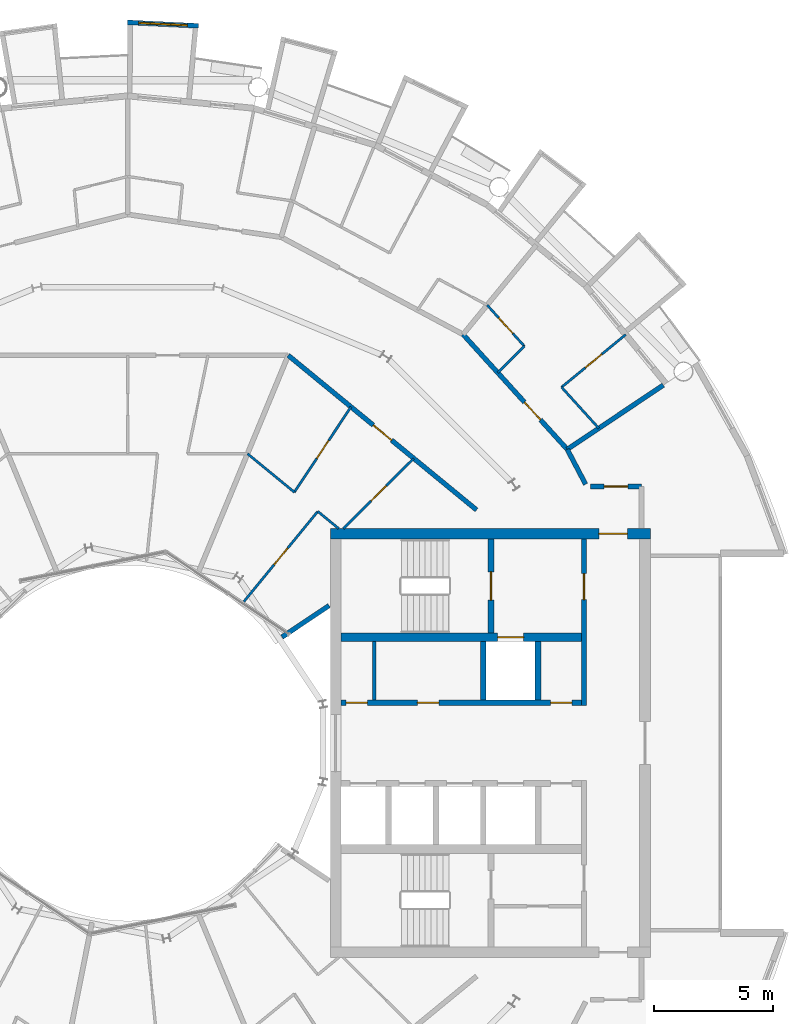
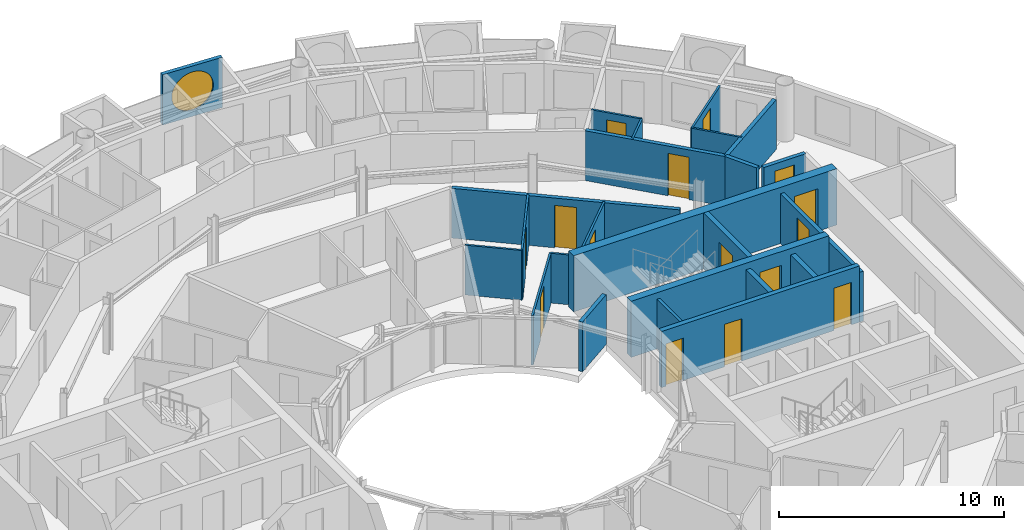
# One storey, part 23 of 29: 24 walls, 15 doors, 1 window, 16 openings.
"""IFC4 building model written with IfcOpenShell, lengths in metres."""

from ifc_helpers import new_model, si_unit, direction, frame, frame_2d, origin, place, context, subcontext, project, spatial, rectangle, circle, extrude, material, layer, layer_set, type_object, element, fill, save


model = new_model("IFC4")

# Units and contexts
model_context = context("Model", 3, precision=1e-05, world=origin(), true_north=direction((0.0, 1.0)))
body_context = subcontext(model_context, "Body", "Model", "MODEL_VIEW")
ifc_project = project(units=[si_unit("LENGTHUNIT", "METRE"), si_unit("AREAUNIT", "SQUARE_METRE"), si_unit("VOLUMEUNIT", "CUBIC_METRE"), si_unit("PLANEANGLEUNIT", "RADIAN"), si_unit("MASSUNIT", "GRAM", prefix="KILO")], contexts=[model_context])

# Site, building, storey
site_placement = place(None, origin())
site = spatial("IfcSite", under=ifc_project, at=site_placement, CompositionType="ELEMENT")
building_placement = place(site_placement, origin())
building = spatial("IfcBuilding", under=site, at=building_placement, Name="Maasbend Ring Residences", CompositionType="ELEMENT")
storey_placement = place(building_placement, frame((0.0, 0.0, 215.75)))
storey = spatial("IfcBuildingStorey", under=building, at=storey_placement, Name="L62", CompositionType="ELEMENT", Elevation=215.75)

# Wall, openings, doors
ifc_material_1 = material(Name="Concrete C50/60", Category="concrete")
ifc_layer_1 = layer(ifc_material_1, 0.25)
ifc_layer_set_1 = layer_set([ifc_layer_1], Name="Concrete C50/60")
wall_type_1 = type_object("IfcWallType", Name="CORE WALL 250 C50/60", PredefinedType="SHEAR", material=ifc_layer_set_1)
wall_1_placement = place(storey_placement, frame((9.0, 1.699951171875, 0.0), z_axis=(0.0, 0.0, 1.0), x_axis=(1.0, 0.0, 0.0)))
wall_1 = element("IfcWall", 1, at=wall_1_placement, inside=storey, type_object=wall_type_1, Name="L62 core E wall SPN", PredefinedType="SHEAR", context=body_context, shape_type="SweptSolid", body=[
    extrude(rectangle(XDim=10.14990234375, YDim=0.25, at=frame_2d((5.074951171875, 0.0))), origin(), (0.0, 0.0, 1.0), 3.050048828125),
])
opening_1_placement = place(wall_1_placement, frame((0.21240234375, 0.0, 0.0)))
opening_1 = element("IfcOpeningElement", 2, at=opening_1_placement, cuts=wall_1, Name="Opening D-E6206", PredefinedType="OPENING", context=body_context, shape_type="SweptSolid", body=[
    extrude(rectangle(XDim=0.89990234375, YDim=2.300048828125, at=frame_2d((0.449951171875, 1.14990234375))), frame((0.0, 0.135009765625, 0.0), z_axis=(0.0, -1.0, 0.0), x_axis=(1.0, 0.0, 0.0)), (0.0, 0.0, 1.0), 0.27001953125),
])
opening_2_placement = place(wall_1_placement, frame((3.22509765625, 0.0, 0.0)))
opening_2 = element("IfcOpeningElement", 3, at=opening_2_placement, cuts=wall_1, Name="Opening D-E6207", PredefinedType="OPENING", context=body_context, shape_type="SweptSolid", body=[
    extrude(rectangle(XDim=0.89990234375, YDim=2.300048828125, at=frame_2d((0.449951171875, 1.14990234375))), frame((0.0, 0.135009765625, 0.0), z_axis=(0.0, -1.0, 0.0), x_axis=(1.0, 0.0, 0.0)), (0.0, 0.0, 1.0), 0.27001953125),
])
opening_3_placement = place(wall_1_placement, frame((8.83740234375, 0.0, 0.0)))
opening_3 = element("IfcOpeningElement", 4, at=opening_3_placement, cuts=wall_1, Name="Opening D-E6208", PredefinedType="OPENING", context=body_context, shape_type="SweptSolid", body=[
    extrude(rectangle(XDim=0.89990234375, YDim=2.300048828125, at=frame_2d((0.449951171875, 1.14990234375))), frame((0.0, 0.135009765625, 0.0), z_axis=(0.0, -1.0, 0.0), x_axis=(1.0, 0.0, 0.0)), (0.0, 0.0, 1.0), 0.27001953125),
])
ifc_material_2 = material(Name="Steel, powder coated", Category="steel")
door_type_1 = type_object("IfcDoorType", Name="ROOM DOOR 900 X 2300 FD30S", OperationType="NOTDEFINED", PredefinedType="DOOR", material=ifc_material_2)
door_1_placement = place(opening_1_placement, origin())
door_1 = element("IfcDoor", 5, at=door_1_placement, inside=storey, type_object=door_type_1, Name="Room door L62", OperationType="SINGLE_SWING_RIGHT", OverallHeight=2.300048828125, OverallWidth=0.89990234375, PredefinedType="DOOR", context=body_context, shape_type="SweptSolid", body=[
    extrude(rectangle(XDim=0.89990234375, YDim=2.300048828125, at=frame_2d((0.449951171875, 1.14990234375))), frame((0.0, 0.02490234375, 0.0), z_axis=(0.0, -1.0, 0.0), x_axis=(1.0, 0.0, 0.0)), (0.0, 0.0, 1.0), 0.050048828125),
])
fill(opening_1, door_1)
door_2_placement = place(opening_2_placement, origin())
door_2 = element("IfcDoor", 6, at=door_2_placement, inside=storey, type_object=door_type_1, Name="Room door L62", OperationType="SINGLE_SWING_RIGHT", OverallHeight=2.300048828125, OverallWidth=0.89990234375, PredefinedType="DOOR", context=body_context, shape_type="SweptSolid", body=[
    extrude(rectangle(XDim=0.89990234375, YDim=2.300048828125, at=frame_2d((0.449951171875, 1.14990234375))), frame((0.0, 0.02490234375, 0.0), z_axis=(0.0, -1.0, 0.0), x_axis=(1.0, 0.0, 0.0)), (0.0, 0.0, 1.0), 0.050048828125),
])
fill(opening_2, door_2)
door_3_placement = place(opening_3_placement, origin())
door_3 = element("IfcDoor", 7, at=door_3_placement, inside=storey, type_object=door_type_1, Name="Room door L62", OperationType="SINGLE_SWING_LEFT", OverallHeight=2.300048828125, OverallWidth=0.89990234375, PredefinedType="DOOR", context=body_context, shape_type="SweptSolid", body=[
    extrude(rectangle(XDim=0.89990234375, YDim=2.300048828125, at=frame_2d((0.449951171875, 1.14990234375))), frame((0.0, 0.02490234375, 0.0), z_axis=(0.0, -1.0, 0.0), x_axis=(1.0, 0.0, 0.0)), (0.0, 0.0, 1.0), 0.050048828125),
])
fill(opening_3, door_3)

# Wall, opening, door
wall_2_placement = place(storey_placement, frame((15.324951171875, 4.64990234375, 0.0), z_axis=(0.0, 0.0, 1.0), x_axis=(0.0, 1.0, 0.0)))
wall_2 = element("IfcWall", 8, at=wall_2_placement, inside=storey, type_object=wall_type_1, Name="L62 core E wall STEN", PredefinedType="SHEAR", context=body_context, shape_type="SweptSolid", body=[
    extrude(rectangle(XDim=3.9501953125, YDim=0.25, at=frame_2d((1.97509765625, 0.0))), origin(), (0.0, 0.0, 1.0), 3.050048828125),
])
opening_4_placement = place(wall_2_placement, frame((1.375, 0.0, 0.0)))
opening_4 = element("IfcOpeningElement", 9, at=opening_4_placement, cuts=wall_2, Name="Opening D-E6211", PredefinedType="OPENING", context=body_context, shape_type="SweptSolid", body=[
    extrude(rectangle(XDim=1.199951171875, YDim=2.300048828125, at=frame_2d((0.60009765625, 1.14990234375))), frame((0.0, 0.135009765625, 0.0), z_axis=(0.0, -1.0, 0.0), x_axis=(1.0, 0.0, 0.0)), (0.0, 0.0, 1.0), 0.27001953125),
])
ifc_material_3 = material(Name="Steel, powder coated", Category="steel")
door_type_2 = type_object("IfcDoorType", Name="STAIR DOOR 1200 X 2300 FD60", OperationType="NOTDEFINED", PredefinedType="DOOR", material=ifc_material_3)
door_4_placement = place(opening_4_placement, origin())
door_4 = element("IfcDoor", 10, at=door_4_placement, inside=storey, type_object=door_type_2, Name="Stair door ST-E L62", OperationType="SINGLE_SWING_LEFT", OverallHeight=2.300048828125, OverallWidth=1.199951171875, PredefinedType="DOOR", context=body_context, shape_type="SweptSolid", body=[
    extrude(rectangle(XDim=1.199951171875, YDim=2.300048828125, at=frame_2d((0.60009765625, 1.14990234375))), frame((0.0, 0.02490234375, 0.0), z_axis=(0.0, -1.0, 0.0), x_axis=(1.0, 0.0, 0.0)), (0.0, 0.0, 1.0), 0.050048828125),
])
fill(opening_4, door_4)

ifc_material_4 = material(Name="Concrete C50/60", Category="concrete")
ifc_layer_2 = layer(ifc_material_4, 0.375)
ifc_layer_set_2 = layer_set([ifc_layer_2], Name="Concrete C50/60")
wall_type_2 = type_object("IfcWallType", Name="CORE WALL 375 C50/60", PredefinedType="SHEAR", material=ifc_layer_set_2)
wall_3_placement = place(storey_placement, frame((9.0, 4.46240234375, 0.0), z_axis=(0.0, 0.0, 1.0), x_axis=(1.0, 0.0, 0.0)))
wall_3 = element("IfcWall", 11, at=wall_3_placement, inside=storey, type_object=wall_type_2, Name="L62 core E wall BN", PredefinedType="SHEAR", context=body_context, shape_type="SweptSolid", body=[
    extrude(rectangle(XDim=10.14990234375, YDim=0.375, at=frame_2d((5.074951171875, 0.0))), origin(), (0.0, 0.0, 1.0), 3.050048828125),
])
opening_5_placement = place(wall_3_placement, frame((6.60009765625, 0.0, 0.0)))
opening_5 = element("IfcOpeningElement", 12, at=opening_5_placement, cuts=wall_3, Name="Opening LD-E6201", PredefinedType="OPENING", context=body_context, shape_type="SweptSolid", body=[
    extrude(rectangle(XDim=1.10009765625, YDim=2.300048828125, at=frame_2d((0.550048828125, 1.14990234375))), frame((0.0, 0.197509765625, 0.0), z_axis=(0.0, -1.0, 0.0), x_axis=(1.0, 0.0, 0.0)), (0.0, 0.0, 1.0), 0.39501953125),
])
ifc_material_5 = material(Name="Stainless steel 316", Category="steel")
door_type_3 = type_object("IfcDoorType", Name="LANDING DOOR 1100 X 2300 FD60", OperationType="DOUBLE_DOOR_SLIDING", PredefinedType="DOOR", material=ifc_material_5)
door_5_placement = place(opening_5_placement, origin())
door_5 = element("IfcDoor", 13, at=door_5_placement, inside=storey, type_object=door_type_3, Name="Landing door FF-E L62", OperationType="DOUBLE_DOOR_SLIDING", OverallHeight=2.300048828125, OverallWidth=1.10009765625, PredefinedType="DOOR", context=body_context, shape_type="SweptSolid", body=[
    extrude(rectangle(XDim=1.10009765625, YDim=2.300048828125, at=frame_2d((0.550048828125, 1.14990234375))), frame((0.0, 0.02490234375, 0.0), z_axis=(0.0, -1.0, 0.0), x_axis=(1.0, 0.0, 0.0)), (0.0, 0.0, 1.0), 0.050048828125),
])
fill(opening_5, door_5)

ifc_material_6 = material(Name="Concrete C50/60", Category="concrete")
ifc_layer_3 = layer(ifc_material_6, 0.449951171875)
ifc_layer_set_3 = layer_set([ifc_layer_3], Name="Concrete C50/60")
wall_type_3 = type_object("IfcWallType", Name="CORE WALL 450 C50/60", PredefinedType="SHEAR", material=ifc_layer_set_3)
wall_4_placement = place(storey_placement, frame((22.050048828125, 8.824951171875, 0.0), z_axis=(0.0, 0.0, 1.0), x_axis=(-1.0, 0.0, 0.0)))
wall_4 = element("IfcWall", 14, at=wall_4_placement, inside=storey, type_object=wall_type_3, Name="L62 core E wall PN", PredefinedType="SHEAR", context=body_context, shape_type="SweptSolid", body=[
    extrude(rectangle(XDim=13.5, YDim=0.449951171875, at=frame_2d((6.75, 0.0))), origin(), (0.0, 0.0, 1.0), 3.050048828125),
])
opening_6_placement = place(wall_4_placement, frame((0.97509765625, 0.0, 0.0)))
opening_6 = element("IfcOpeningElement", 15, at=opening_6_placement, cuts=wall_4, Name="Opening D-E6215", PredefinedType="OPENING", context=body_context, shape_type="SweptSolid", body=[
    extrude(rectangle(XDim=1.199951171875, YDim=2.300048828125, at=frame_2d((0.60009765625, 1.14990234375))), frame((0.0, 0.23486328125, 0.0), z_axis=(0.0, -1.0, 0.0), x_axis=(1.0, 0.0, 0.0)), (0.0, 0.0, 1.0), 0.469970703125),
])
ifc_material_7 = material(Name="Steel, powder coated", Category="steel")
door_type_4 = type_object("IfcDoorType", Name="CORRIDOR DOOR 1200 X 2300 FD30S", OperationType="NOTDEFINED", PredefinedType="DOOR", material=ifc_material_7)
door_6_placement = place(opening_6_placement, origin())
door_6 = element("IfcDoor", 16, at=door_6_placement, inside=storey, type_object=door_type_4, Name="Corridor door L62", OperationType="SINGLE_SWING_RIGHT", OverallHeight=2.300048828125, OverallWidth=1.199951171875, PredefinedType="DOOR", context=body_context, shape_type="SweptSolid", body=[
    extrude(rectangle(XDim=1.199951171875, YDim=2.300048828125, at=frame_2d((0.60009765625, 1.14990234375))), frame((0.0, 0.02490234375, 0.0), z_axis=(0.0, -1.0, 0.0), x_axis=(1.0, 0.0, 0.0)), (0.0, 0.0, 1.0), 0.050048828125),
])
fill(opening_6, door_6)

ifc_material_8 = material(Name="Concrete C30/37", Category="concrete")
ifc_layer_4 = layer(ifc_material_8, 0.199951171875)
ifc_layer_set_4 = layer_set([ifc_layer_4], Name="Concrete C30/37")
wall_type_4 = type_object("IfcWallType", Name="CORRIDOR WALL 200 CONCRETE", PredefinedType="PARTITIONING", material=ifc_layer_set_4)
wall_5_placement = place(storey_placement, frame((19.52294921875, 10.824951171875, 0.0), z_axis=(0.0, 0.0, 1.0), x_axis=(1.0, 0.0, 0.0)))
wall_5 = element("IfcWall", 17, at=wall_5_placement, inside=storey, type_object=wall_type_4, Name="U-L62-w100", PredefinedType="PARTITIONING", context=body_context, shape_type="SweptSolid", body=[
    extrude(rectangle(XDim=2.152099609375, YDim=0.199951171875, at=frame_2d((1.076171875, 0.0))), origin(), (0.0, 0.0, 1.0), 2.699951171875),
])
opening_7_placement = place(wall_5_placement, frame((0.575927734375, 0.0, 0.0)))
opening_7 = element("IfcOpeningElement", 18, at=opening_7_placement, cuts=wall_5, Name="Opening D-6271", PredefinedType="OPENING", context=body_context, shape_type="SweptSolid", body=[
    extrude(rectangle(XDim=1.0, YDim=2.300048828125, at=frame_2d((0.5, 1.14990234375))), frame((0.0, 0.10986328125, 0.0), z_axis=(0.0, -1.0, 0.0), x_axis=(1.0, 0.0, 0.0)), (0.0, 0.0, 1.0), 0.219970703125),
])
ifc_material_9 = material(Name="Timber, painted", Category="wood")
door_type_5 = type_object("IfcDoorType", Name="ROOM DOOR 1000 X 2300", OperationType="NOTDEFINED", PredefinedType="DOOR", material=ifc_material_9)
door_7_placement = place(opening_7_placement, origin())
door_7 = element("IfcDoor", 19, at=door_7_placement, inside=storey, type_object=door_type_5, Name="D-6271", OperationType="SINGLE_SWING_LEFT", OverallHeight=2.300048828125, OverallWidth=1.0, PredefinedType="DOOR", context=body_context, shape_type="SweptSolid", body=[
    extrude(rectangle(XDim=1.0, YDim=2.300048828125, at=frame_2d((0.5, 1.14990234375))), frame((0.0, 0.02490234375, 0.0), z_axis=(0.0, -1.0, 0.0), x_axis=(1.0, 0.0, 0.0)), (0.0, 0.0, 1.0), 0.050048828125),
])
fill(opening_7, door_7)

wall_6_placement = place(storey_placement, frame((6.77294921875, 16.35302734375, 0.0), z_axis=(0.0, 0.0, 1.0), x_axis=(0.773034536097, -0.634363938131, 0.0)))
wall_6 = element("IfcWall", 20, at=wall_6_placement, inside=storey, type_object=wall_type_4, Name="U-L62-w109", PredefinedType="PARTITIONING", context=body_context, shape_type="SweptSolid", body=[
    extrude(rectangle(XDim=10.276611328125, YDim=0.199951171875, at=frame_2d((5.13818359375, 0.0))), origin(), (0.0, 0.0, 1.0), 2.699951171875),
])
opening_8_placement = place(wall_6_placement, frame((4.637939453125, 0.0, 0.0)))
opening_8 = element("IfcOpeningElement", 21, at=opening_8_placement, cuts=wall_6, Name="Opening D-6223", PredefinedType="OPENING", context=body_context, shape_type="SweptSolid", body=[
    extrude(rectangle(XDim=1.0, YDim=2.300048828125, at=frame_2d((0.5, 1.14990234375))), frame((0.0, 0.10986328125, 0.0), z_axis=(0.0, -1.0, 0.0), x_axis=(1.0, 0.0, 0.0)), (0.0, 0.0, 1.0), 0.219970703125),
])
ifc_material_10 = material(Name="Timber, fire-rated, painted", Category="wood")
door_type_6 = type_object("IfcDoorType", Name="FLAT ENTRANCE DOOR 1000 X 2300 FIRE-RATED", OperationType="NOTDEFINED", PredefinedType="DOOR", material=ifc_material_10)
door_8_placement = place(opening_8_placement, origin())
door_8 = element("IfcDoor", 22, at=door_8_placement, inside=storey, type_object=door_type_6, Name="D-6223", OperationType="SINGLE_SWING_RIGHT", OverallHeight=2.300048828125, OverallWidth=1.0, PredefinedType="DOOR", context=body_context, shape_type="SweptSolid", body=[
    extrude(rectangle(XDim=1.0, YDim=2.300048828125, at=frame_2d((0.5, 1.14990234375))), frame((0.0, 0.02490234375, 0.0), z_axis=(0.0, -1.0, 0.0), x_axis=(1.0, 0.0, 0.0)), (0.0, 0.0, 1.0), 0.050048828125),
])
fill(opening_8, door_8)

wall_7_placement = place(storey_placement, frame((14.14697265625, 17.238037109375, 0.0), z_axis=(0.0, 0.0, 1.0), x_axis=(0.671561669125, -0.740948665268, 0.0)))
wall_7 = element("IfcWall", 23, at=wall_7_placement, inside=storey, type_object=wall_type_4, Name="U-L62-w116", PredefinedType="PARTITIONING", context=body_context, shape_type="SweptSolid", body=[
    extrude(rectangle(XDim=6.54443359375, YDim=0.199951171875, at=frame_2d((3.272216796875, 0.0))), origin(), (0.0, 0.0, 1.0), 2.699951171875),
])
opening_9_placement = place(wall_7_placement, frame((3.862060546875, 0.0, 0.0)))
opening_9 = element("IfcOpeningElement", 24, at=opening_9_placement, cuts=wall_7, Name="Opening D-6201", PredefinedType="OPENING", context=body_context, shape_type="SweptSolid", body=[
    extrude(rectangle(XDim=1.0, YDim=2.300048828125, at=frame_2d((0.5, 1.14990234375))), frame((0.0, 0.10986328125, 0.0), z_axis=(0.0, -1.0, 0.0), x_axis=(1.0, 0.0, 0.0)), (0.0, 0.0, 1.0), 0.219970703125),
])
door_9_placement = place(opening_9_placement, origin())
door_9 = element("IfcDoor", 25, at=door_9_placement, inside=storey, type_object=door_type_6, Name="D-6201", OperationType="SINGLE_SWING_RIGHT", OverallHeight=2.300048828125, OverallWidth=1.0, PredefinedType="DOOR", context=body_context, shape_type="SweptSolid", body=[
    extrude(rectangle(XDim=1.0, YDim=2.300048828125, at=frame_2d((0.5, 1.14990234375))), frame((0.0, 0.02490234375, 0.0), z_axis=(0.0, -1.0, 0.0), x_axis=(1.0, 0.0, 0.0)), (0.0, 0.0, 1.0), 0.050048828125),
])
fill(opening_9, door_9)

# Wall
wall_8_placement = place(storey_placement, frame((18.5419921875, 12.388916015625, 0.0), z_axis=(0.0, 0.0, 1.0), x_axis=(0.465359652486, -0.885121683068, 0.0)))
element("IfcWall", 26, at=wall_8_placement, inside=storey, type_object=wall_type_4, Name="U-L62-w118", PredefinedType="PARTITIONING", context=body_context, shape_type="SweptSolid", body=[
    extrude(rectangle(XDim=1.665283203125, YDim=0.199951171875, at=frame_2d((0.83251953125, 0.0))), origin(), (0.0, 0.0, 1.0), 2.699951171875),
])

# Wall, opening, window
ifc_material_11 = material(Name="Pale anodised aluminium panel", Category="aluminium")
ifc_layer_5 = layer(ifc_material_11, 0.199951171875)
ifc_layer_set_5 = layer_set([ifc_layer_5], Name="EW-BOX")
wall_type_5 = type_object("IfcWallType", Name="EW-BOX", PredefinedType="SOLIDWALL", material=ifc_layer_set_5)
wall_9_placement = place(storey_placement, frame((2.985107421875, 30.2529296875, -0.030029296875), z_axis=(0.0, 0.0, 1.0), x_axis=(-0.998794083011, 0.049095618353, 0.0)))
wall_9 = element("IfcWall", 27, at=wall_9_placement, inside=storey, type_object=wall_type_5, Name="Box front N10", PredefinedType="SOLIDWALL", context=body_context, shape_type="SweptSolid", body=[
    extrude(rectangle(XDim=2.99365234375, YDim=0.199951171875, at=frame_2d((1.496826171875, 0.0))), origin(), (0.0, 0.0, 1.0), 2.72998046875),
])
opening_10_placement = place(wall_9_placement, frame((0.45654296875, 0.0, 0.330078125)))
opening_10 = element("IfcOpeningElement", 28, at=opening_10_placement, cuts=wall_9, Name="Opening W-RD", PredefinedType="OPENING", context=body_context, shape_type="SweptSolid", body=[
    extrude(circle(Radius=1.0400390625, at=frame_2d((1.0400390625, 1.0400390625))), frame((0.0, 0.10986328125, 0.0), z_axis=(0.0, -1.0, 0.0), x_axis=(1.0, 0.0, 0.0)), (0.0, 0.0, 1.0), 0.219970703125),
])
ifc_material_12 = material(Name="Aluminium and clear glass", Category="aluminium")
window_type = type_object("IfcWindowType", Name="W-RD", PartitioningType="SINGLE_PANEL", PredefinedType="WINDOW", material=ifc_material_12)
window_placement = place(opening_10_placement, origin())
window = element("IfcWindow", 29, at=window_placement, inside=storey, type_object=window_type, Name="Round window N10", OverallHeight=2.080078125, OverallWidth=2.080078125, PartitioningType="SINGLE_PANEL", PredefinedType="WINDOW", context=body_context, shape_type="SweptSolid", body=[
    extrude(circle(Radius=1.0400390625, at=frame_2d((1.0400390625, 1.0400390625))), frame((0.0, 0.030029296875, 0.0), z_axis=(0.0, -1.0, 0.0), x_axis=(1.0, 0.0, 0.0)), (0.0, 0.0, 1.0), 0.06005859375),
])
fill(opening_10, window)

# Wall, opening, door
ifc_material_13 = material(Name="Gypsum board on steel studs", Category="steel")
ifc_layer_6 = layer(ifc_material_13, 0.10009765625)
ifc_layer_set_6 = layer_set([ifc_layer_6], Name="PARTITION 100 GYPSUM")
wall_type_6 = type_object("IfcWallType", Name="PARTITION 100 GYPSUM", PredefinedType="PARTITIONING", material=ifc_layer_set_6)
wall_10_placement = place(storey_placement, frame((4.90087890625, 5.966064453125, 0.0), z_axis=(0.0, 0.0, 1.0), x_axis=(0.633851064378, 0.773455123577, 0.0)))
wall_10 = element("IfcWall", 30, at=wall_10_placement, inside=storey, type_object=wall_type_6, Name="U-L62-w036", PredefinedType="PARTITIONING", context=body_context, shape_type="SweptSolid", body=[
    extrude(rectangle(XDim=4.91943359375, YDim=0.10009765625, at=frame_2d((2.459716796875, 0.0))), origin(), (0.0, 0.0, 1.0), 2.699951171875),
])
opening_11_placement = place(wall_10_placement, frame((2.009033203125, 0.0, 0.0)))
opening_11 = element("IfcOpeningElement", 31, at=opening_11_placement, cuts=wall_10, Name="Opening D-6226", PredefinedType="OPENING", context=body_context, shape_type="SweptSolid", body=[
    extrude(rectangle(XDim=0.89990234375, YDim=2.300048828125, at=frame_2d((0.449951171875, 1.14990234375))), frame((0.0, 0.06005859375, 0.0), z_axis=(0.0, -1.0, 0.0), x_axis=(1.0, 0.0, 0.0)), (0.0, 0.0, 1.0), 0.1201171875),
])
ifc_material_14 = material(Name="Timber, painted", Category="wood")
door_type_7 = type_object("IfcDoorType", Name="INTERNAL DOOR 900 X 2300", OperationType="NOTDEFINED", PredefinedType="DOOR", material=ifc_material_14)
door_10_placement = place(opening_11_placement, origin())
door_10 = element("IfcDoor", 32, at=door_10_placement, inside=storey, type_object=door_type_7, Name="D-6226", OperationType="SINGLE_SWING_LEFT", OverallHeight=2.300048828125, OverallWidth=0.89990234375, PredefinedType="DOOR", context=body_context, shape_type="SweptSolid", body=[
    extrude(rectangle(XDim=0.89990234375, YDim=2.300048828125, at=frame_2d((0.449951171875, 1.14990234375))), frame((0.0, 0.02490234375, 0.0), z_axis=(0.0, -1.0, 0.0), x_axis=(1.0, 0.0, 0.0)), (0.0, 0.0, 1.0), 0.050048828125),
])
fill(opening_11, door_10)

wall_11_placement = place(storey_placement, frame((7.031005859375, 10.58203125, 0.0), z_axis=(0.0, 0.0, 1.0), x_axis=(0.553303732327, 0.832979579457, 0.0)))
wall_11 = element("IfcWall", 33, at=wall_11_placement, inside=storey, type_object=wall_type_6, Name="U-L62-w081", PredefinedType="PARTITIONING", context=body_context, shape_type="SweptSolid", body=[
    extrude(rectangle(XDim=4.3193359375, YDim=0.10009765625, at=frame_2d((2.15966796875, 0.0))), origin(), (0.0, 0.0, 1.0), 2.699951171875),
])
opening_12_placement = place(wall_11_placement, frame((1.7099609375, 0.0, 0.0)))
opening_12 = element("IfcOpeningElement", 34, at=opening_12_placement, cuts=wall_11, Name="Opening D-6224", PredefinedType="OPENING", context=body_context, shape_type="SweptSolid", body=[
    extrude(rectangle(XDim=0.89990234375, YDim=2.300048828125, at=frame_2d((0.449951171875, 1.14990234375))), frame((0.0, 0.06005859375, 0.0), z_axis=(0.0, -1.0, 0.0), x_axis=(1.0, 0.0, 0.0)), (0.0, 0.0, 1.0), 0.1201171875),
])
door_11_placement = place(opening_12_placement, origin())
door_11 = element("IfcDoor", 35, at=door_11_placement, inside=storey, type_object=door_type_7, Name="D-6224", OperationType="SINGLE_SWING_LEFT", OverallHeight=2.300048828125, OverallWidth=0.89990234375, PredefinedType="DOOR", context=body_context, shape_type="SweptSolid", body=[
    extrude(rectangle(XDim=0.89990234375, YDim=2.300048828125, at=frame_2d((0.449951171875, 1.14990234375))), frame((0.0, 0.02490234375, 0.0), z_axis=(0.0, -1.0, 0.0), x_axis=(1.0, 0.0, 0.0)), (0.0, 0.0, 1.0), 0.050048828125),
])
fill(opening_12, door_11)

wall_12_placement = place(storey_placement, frame((9.096923828125, 9.050048828125, 0.0), z_axis=(0.0, 0.0, 1.0), x_axis=(0.708909651863, 0.705299302067, 0.0)))
wall_12 = element("IfcWall", 36, at=wall_12_placement, inside=storey, type_object=wall_type_6, Name="U-L62-w085", PredefinedType="PARTITIONING", context=body_context, shape_type="SweptSolid", body=[
    extrude(rectangle(XDim=4.192626953125, YDim=0.10009765625, at=frame_2d((2.09619140625, 0.0))), origin(), (0.0, 0.0, 1.0), 2.699951171875),
])
opening_13_placement = place(wall_12_placement, frame((1.64599609375, 0.0, 0.0)))
opening_13 = element("IfcOpeningElement", 37, at=opening_13_placement, cuts=wall_12, Name="Opening D-6225", PredefinedType="OPENING", context=body_context, shape_type="SweptSolid", body=[
    extrude(rectangle(XDim=0.89990234375, YDim=2.300048828125, at=frame_2d((0.449951171875, 1.14990234375))), frame((0.0, 0.06005859375, 0.0), z_axis=(0.0, -1.0, 0.0), x_axis=(1.0, 0.0, 0.0)), (0.0, 0.0, 1.0), 0.1201171875),
])
door_12_placement = place(opening_13_placement, origin())
door_12 = element("IfcDoor", 38, at=door_12_placement, inside=storey, type_object=door_type_7, Name="D-6225", OperationType="SINGLE_SWING_RIGHT", OverallHeight=2.300048828125, OverallWidth=0.89990234375, PredefinedType="DOOR", context=body_context, shape_type="SweptSolid", body=[
    extrude(rectangle(XDim=0.89990234375, YDim=2.300048828125, at=frame_2d((0.449951171875, 1.14990234375))), frame((0.0, 0.02490234375, 0.0), z_axis=(0.0, -1.0, 0.0), x_axis=(1.0, 0.0, 0.0)), (0.0, 0.0, 1.0), 0.050048828125),
])
fill(opening_13, door_12)

# Wall
wall_13_placement = place(storey_placement, frame((15.612060546875, 15.6220703125, 0.0), z_axis=(0.0, 0.0, 1.0), x_axis=(0.70679853939, 0.707414888673, 0.0)))
element("IfcWall", 39, at=wall_13_placement, inside=storey, type_object=wall_type_6, Name="U-L62-w092", PredefinedType="PARTITIONING", context=body_context, shape_type="SweptSolid", body=[
    extrude(rectangle(XDim=1.58447265625, YDim=0.10009765625, at=frame_2d((0.792236328125, 0.0))), origin(), (0.0, 0.0, 1.0), 2.699951171875),
])

# Wall, opening, door
wall_14_placement = place(storey_placement, frame((18.302001953125, 15.010009765625, 0.0), z_axis=(0.0, 0.0, 1.0), x_axis=(0.773165322764, 0.634204528267, 0.0)))
wall_14 = element("IfcWall", 40, at=wall_14_placement, inside=storey, type_object=wall_type_6, Name="U-L62-w094", PredefinedType="PARTITIONING", context=body_context, shape_type="SweptSolid", body=[
    extrude(rectangle(XDim=3.505126953125, YDim=0.10009765625, at=frame_2d((1.75244140625, 0.0))), origin(), (0.0, 0.0, 1.0), 2.699951171875),
])
opening_14_placement = place(wall_14_placement, frame((1.302978515625, 0.0, 0.0)))
opening_14 = element("IfcOpeningElement", 41, at=opening_14_placement, cuts=wall_14, Name="Opening D-6203", PredefinedType="OPENING", context=body_context, shape_type="SweptSolid", body=[
    extrude(rectangle(XDim=0.89990234375, YDim=2.300048828125, at=frame_2d((0.449951171875, 1.14990234375))), frame((0.0, 0.06005859375, 0.0), z_axis=(0.0, -1.0, 0.0), x_axis=(1.0, 0.0, 0.0)), (0.0, 0.0, 1.0), 0.1201171875),
])
door_13_placement = place(opening_14_placement, origin())
door_13 = element("IfcDoor", 42, at=door_13_placement, inside=storey, type_object=door_type_7, Name="D-6203", OperationType="SINGLE_SWING_RIGHT", OverallHeight=2.300048828125, OverallWidth=0.89990234375, PredefinedType="DOOR", context=body_context, shape_type="SweptSolid", body=[
    extrude(rectangle(XDim=0.89990234375, YDim=2.300048828125, at=frame_2d((0.449951171875, 1.14990234375))), frame((0.0, 0.02490234375, 0.0), z_axis=(0.0, -1.0, 0.0), x_axis=(1.0, 0.0, 0.0)), (0.0, 0.0, 1.0), 0.050048828125),
])
fill(opening_14, door_13)

# Walls
wall_15_placement = place(storey_placement, frame((5.056884765625, 12.202880859375, 0.0), z_axis=(0.0, 0.0, 1.0), x_axis=(0.772990508216, -0.634417586617, 0.0)))
element("IfcWall", 43, at=wall_15_placement, inside=storey, type_object=wall_type_6, Name="U-L62-w105", PredefinedType="PARTITIONING", context=body_context, shape_type="SweptSolid", body=[
    extrude(rectangle(XDim=2.556396484375, YDim=0.10009765625, at=frame_2d((1.2783203125, 0.0))), origin(), (0.0, 0.0, 1.0), 2.699951171875),
])
wall_16_placement = place(storey_placement, frame((8.01904296875, 9.77099609375, 0.0), z_axis=(0.0, 0.0, 1.0), x_axis=(0.772842270779, -0.63459815986, 0.0)))
element("IfcWall", 44, at=wall_16_placement, inside=storey, type_object=wall_type_6, Name="U-L62-w106", PredefinedType="PARTITIONING", context=body_context, shape_type="SweptSolid", body=[
    extrude(rectangle(XDim=1.142578125, YDim=0.10009765625, at=frame_2d((0.5712890625, 0.0))), origin(), (0.0, 0.0, 1.0), 2.699951171875),
])

# Wall, opening, door
wall_17_placement = place(storey_placement, frame((15.162109375, 18.47509765625, 0.0), z_axis=(0.0, 0.0, 1.0), x_axis=(0.671528384412, -0.740978831634, 0.0)))
wall_17 = element("IfcWall", 45, at=wall_17_placement, inside=storey, type_object=wall_type_6, Name="U-L62-w127", PredefinedType="PARTITIONING", context=body_context, shape_type="SweptSolid", body=[
    extrude(rectangle(XDim=2.337646484375, YDim=0.10009765625, at=frame_2d((1.1689453125, 0.0))), origin(), (0.0, 0.0, 1.0), 2.699951171875),
])
opening_15_placement = place(wall_17_placement, frame((0.718994140625, 0.0, 0.0)))
opening_15 = element("IfcOpeningElement", 46, at=opening_15_placement, cuts=wall_17, Name="Opening D-6202", PredefinedType="OPENING", context=body_context, shape_type="SweptSolid", body=[
    extrude(rectangle(XDim=0.89990234375, YDim=2.300048828125, at=frame_2d((0.449951171875, 1.14990234375))), frame((0.0, 0.06005859375, 0.0), z_axis=(0.0, -1.0, 0.0), x_axis=(1.0, 0.0, 0.0)), (0.0, 0.0, 1.0), 0.1201171875),
])
door_14_placement = place(opening_15_placement, origin())
door_14 = element("IfcDoor", 47, at=door_14_placement, inside=storey, type_object=door_type_7, Name="D-6202", OperationType="SINGLE_SWING_LEFT", OverallHeight=2.300048828125, OverallWidth=0.89990234375, PredefinedType="DOOR", context=body_context, shape_type="SweptSolid", body=[
    extrude(rectangle(XDim=0.89990234375, YDim=2.300048828125, at=frame_2d((0.449951171875, 1.14990234375))), frame((0.0, 0.02490234375, 0.0), z_axis=(0.0, -1.0, 0.0), x_axis=(1.0, 0.0, 0.0)), (0.0, 0.0, 1.0), 0.050048828125),
])
fill(opening_15, door_14)

# Walls
wall_18_placement = place(storey_placement, frame((18.302001953125, 15.010009765625, 0.0), z_axis=(0.0, 0.0, 1.0), x_axis=(0.671637685376, -0.740879760544, 0.0)))
element("IfcWall", 48, at=wall_18_placement, inside=storey, type_object=wall_type_6, Name="U-L62-w128", PredefinedType="PARTITIONING", context=body_context, shape_type="SweptSolid", body=[
    extrude(rectangle(XDim=2.337646484375, YDim=0.10009765625, at=frame_2d((1.1689453125, 0.0))), origin(), (0.0, 0.0, 1.0), 2.699951171875),
])
ifc_material_15 = material(Name="Gypsum board on steel studs", Category="steel")
ifc_layer_7 = layer(ifc_material_15, 0.14990234375)
ifc_layer_set_7 = layer_set([ifc_layer_7], Name="PARTITION 150 EI 60")
wall_type_7 = type_object("IfcWallType", Name="PARTITION 150 EI 60", PredefinedType="PARTITIONING", material=ifc_layer_set_7)
wall_19_placement = place(storey_placement, frame((10.39990234375, 1.824951171875, 0.0), z_axis=(0.0, 0.0, 1.0), x_axis=(0.0, 1.0, 0.0)))
element("IfcWall", 49, at=wall_19_placement, inside=storey, type_object=wall_type_7, Name="L62 core E wall PRN1040", PredefinedType="PARTITIONING", context=body_context, shape_type="SweptSolid", body=[
    extrude(rectangle(XDim=2.449951171875, YDim=0.14990234375, at=frame_2d((1.22509765625, 0.0))), origin(), (0.0, 0.0, 1.0), 2.699951171875),
])
ifc_material_16 = material(Name="Concrete C30/37", Category="concrete")
ifc_layer_8 = layer(ifc_material_16, 0.199951171875)
ifc_layer_set_8 = layer_set([ifc_layer_8], Name="Concrete C30/37")
wall_type_8 = type_object("IfcWallType", Name="PARTY WALL 200 CONCRETE", PredefinedType="PARTITIONING", material=ifc_layer_set_8)
wall_20_placement = place(storey_placement, frame((18.5419921875, 12.388916015625, 0.0), z_axis=(0.0, 0.0, 1.0), x_axis=(0.831387096605, 0.55569370664, 0.0)))
element("IfcWall", 50, at=wall_20_placement, inside=storey, type_object=wall_type_8, Name="U-L62-w096", PredefinedType="PARTITIONING", context=body_context, shape_type="SweptSolid", body=[
    extrude(rectangle(XDim=4.875, YDim=0.199951171875, at=frame_2d((2.4375, 0.0))), origin(), (0.0, 0.0, 1.0), 2.699951171875),
])
wall_21_placement = place(storey_placement, frame((6.512939453125, 4.471923828125, 0.0), z_axis=(0.0, 0.0, 1.0), x_axis=(0.831403409976, 0.555669299026, 0.0)))
element("IfcWall", 51, at=wall_21_placement, inside=storey, type_object=wall_type_8, Name="U-L62-w098", PredefinedType="PARTITIONING", context=body_context, shape_type="SweptSolid", body=[
    extrude(rectangle(XDim=2.382568359375, YDim=0.199951171875, at=frame_2d((1.19140625, 0.0))), origin(), (0.0, 0.0, 1.0), 2.699951171875),
])

# Wall, opening, door
ifc_material_17 = material(Name="Concrete C30/37", Category="concrete")
ifc_layer_9 = layer(ifc_material_17, 0.199951171875)
ifc_layer_set_9 = layer_set([ifc_layer_9], Name="Concrete C30/37")
wall_type_9 = type_object("IfcWallType", Name="SHAFT WALL 200 EI 120", PredefinedType="SOLIDWALL", material=ifc_layer_set_9)
wall_22_placement = place(storey_placement, frame((19.25, 1.574951171875, 0.0), z_axis=(0.0, 0.0, 1.0), x_axis=(0.0, 1.0, 0.0)))
wall_22 = element("IfcWall", 52, at=wall_22_placement, inside=storey, type_object=wall_type_9, Name="L62 core E wall ENDN", PredefinedType="SOLIDWALL", context=body_context, shape_type="SweptSolid", body=[
    extrude(rectangle(XDim=7.025146484375, YDim=0.199951171875, at=frame_2d((3.5126953125, 0.0))), origin(), (0.0, 0.0, 1.0), 2.699951171875),
])
opening_16_placement = place(wall_22_placement, frame((4.47509765625, 0.0, 0.0)))
opening_16 = element("IfcOpeningElement", 53, at=opening_16_placement, cuts=wall_22, Name="Opening D-E6213", PredefinedType="OPENING", context=body_context, shape_type="SweptSolid", body=[
    extrude(rectangle(XDim=1.10009765625, YDim=2.300048828125, at=frame_2d((0.550048828125, 1.14990234375))), frame((0.0, 0.10986328125, 0.0), z_axis=(0.0, -1.0, 0.0), x_axis=(1.0, 0.0, 0.0)), (0.0, 0.0, 1.0), 0.219970703125),
])
ifc_material_18 = material(Name="Steel, powder coated", Category="steel")
door_type_8 = type_object("IfcDoorType", Name="LOBBY DOOR 1100 X 2300 FD60", OperationType="NOTDEFINED", PredefinedType="DOOR", material=ifc_material_18)
door_15_placement = place(opening_16_placement, origin())
door_15 = element("IfcDoor", 54, at=door_15_placement, inside=storey, type_object=door_type_8, Name="Lobby door L62", OperationType="SINGLE_SWING_LEFT", OverallHeight=2.300048828125, OverallWidth=1.10009765625, PredefinedType="DOOR", context=body_context, shape_type="SweptSolid", body=[
    extrude(rectangle(XDim=1.10009765625, YDim=2.300048828125, at=frame_2d((0.550048828125, 1.14990234375))), frame((0.0, 0.02490234375, 0.0), z_axis=(0.0, -1.0, 0.0), x_axis=(1.0, 0.0, 0.0)), (0.0, 0.0, 1.0), 0.050048828125),
])
fill(opening_16, door_15)

# Walls
ifc_material_19 = material(Name="Concrete C30/37", Category="concrete")
ifc_layer_10 = layer(ifc_material_19, 0.25)
ifc_layer_set_10 = layer_set([ifc_layer_10], Name="Concrete C30/37")
wall_type_10 = type_object("IfcWallType", Name="SHAFT WALL 250 EI 120", PredefinedType="SOLIDWALL", material=ifc_layer_set_10)
for number, where, z_axis, x_axis, name in (
    (55, (15.0, 1.824951171875, 0.0), (0.0, 0.0, 1.0), (0.0, 1.0, 0.0), "L62 core E wall D150N"),
    (56, (17.300048828125, 1.824951171875, 0.0), (0.0, 0.0, 1.0), (0.0, 1.0, 0.0), "L62 core E wall D173N"),
):
    element("IfcWall", number, at=place(storey_placement, frame(where, z_axis=z_axis, x_axis=x_axis)), inside=storey, type_object=wall_type_10, Name=name, PredefinedType="SOLIDWALL", context=body_context, shape_type="SweptSolid", body=[
        extrude(rectangle(XDim=2.449951171875, YDim=0.25, at=frame_2d((1.22509765625, 0.0))), origin(), (0.0, 0.0, 1.0), 2.699951171875),
    ])

save(model, "model.ifc")
